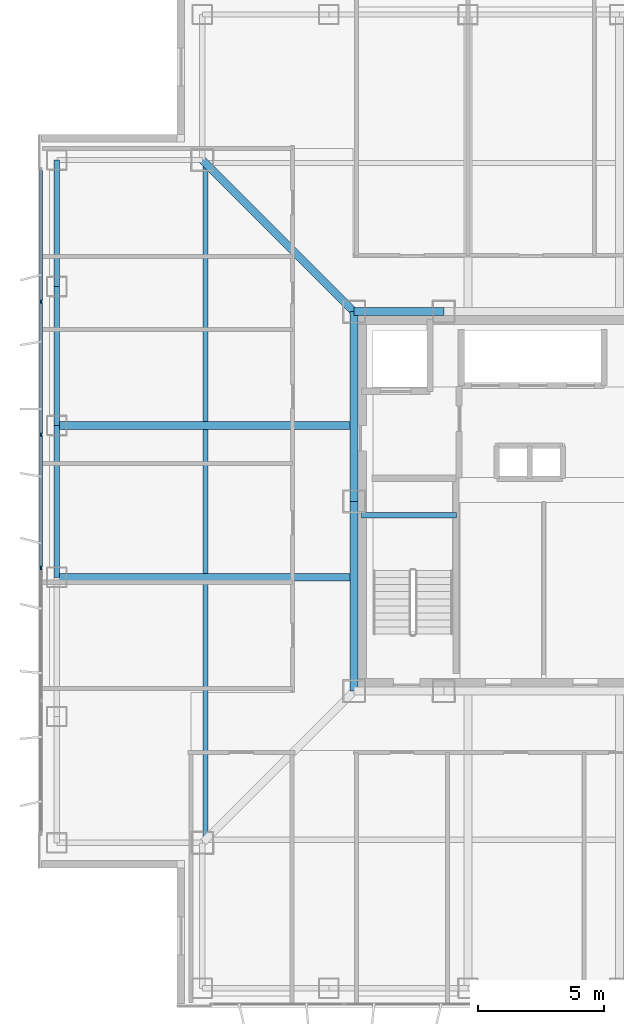
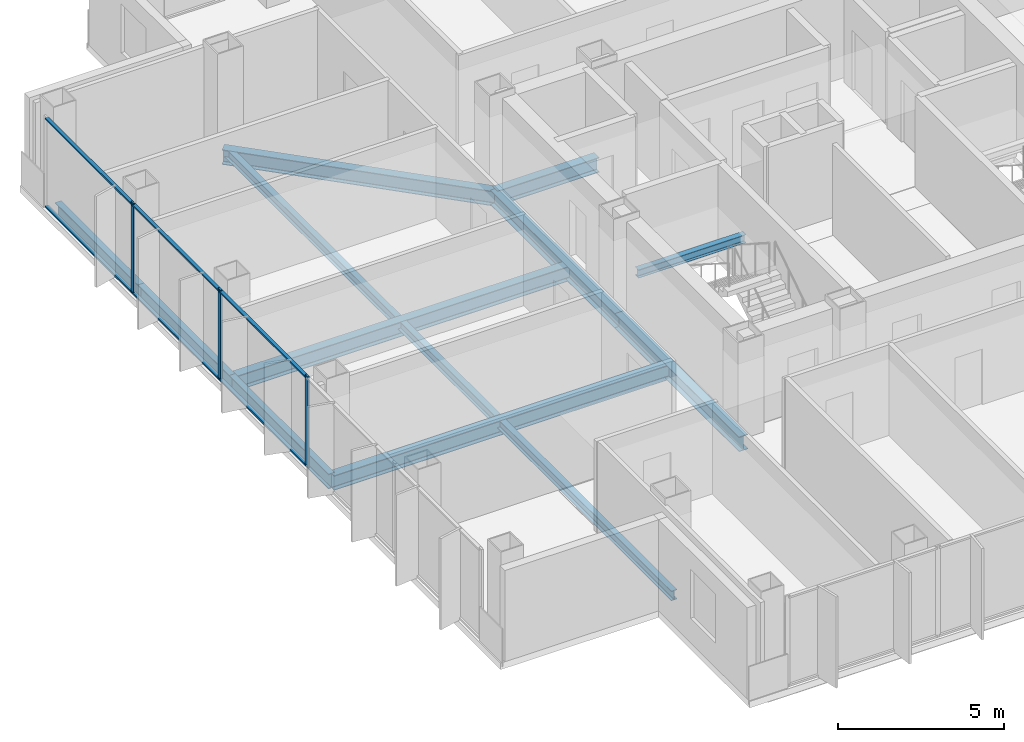
# One storey, part 4 of 18: 11 beams, 9 members, 1 element without a shape of its own.
"""IFC4 building model written with IfcOpenShell, lengths in metres."""

from ifc_helpers import new_model, si_unit, direction, frame, origin, origin_2d, place, context, subcontext, project, spatial, rectangle, i_section, extrude, material, layer, layer_set, material_profile, profile_set, type_object, element, aggregate, save


model = new_model("IFC4")

# Units and contexts
model_context = context("Model", 3, precision=1e-05, world=origin(), true_north=direction((0.0, 1.0)))
body_context = subcontext(model_context, "Body", "Model", "MODEL_VIEW")
ifc_project = project(units=[si_unit("LENGTHUNIT", "METRE"), si_unit("AREAUNIT", "SQUARE_METRE"), si_unit("VOLUMEUNIT", "CUBIC_METRE"), si_unit("PLANEANGLEUNIT", "RADIAN"), si_unit("MASSUNIT", "GRAM", prefix="KILO")], contexts=[model_context])

# Site, building, storey
site_placement = place(None, origin())
site = spatial("IfcSite", under=ifc_project, at=site_placement, CompositionType="ELEMENT")
building_placement = place(site_placement, origin())
building = spatial("IfcBuilding", under=site, at=building_placement, Name="Trevonay Congress Spire", CompositionType="ELEMENT")
storey_placement = place(building_placement, frame((0.0, 0.0, 173.39990234375)))
storey = spatial("IfcBuildingStorey", under=building, at=storey_placement, Name="L44", CompositionType="ELEMENT", Elevation=173.39990234375)

# Beams
ifc_material_1 = material(Name="Steel ASTM A572 Grade 50", Category="steel")
ifc_material_profile_1 = material_profile(ifc_material_1, i_section(OverallWidth=0.31201171875, OverallDepth=0.54296875, WebThickness=0.0126953125, FlangeThickness=0.020263671875, FilletRadius=0.014892578125, at=origin_2d()), Name="W530x150")
ifc_profile_set_1 = profile_set([ifc_material_profile_1], Name="Steel ASTM A572 Grade 50")
beam_type_1 = type_object("IfcBeamType", Name="BM-GIRD-W530X150", PredefinedType="BEAM", material=ifc_profile_set_1)
beam_1_placement = place(storey_placement, frame((-7.5, 7.5, -0.511474609375), z_axis=(1.0, 0.0, 0.0), x_axis=(0.0, 1.0, 0.0)))
element("IfcBeam", 1, at=beam_1_placement, inside=storey, type_object=beam_type_1, Name="L44 structural beam BM-L44-CR-N1", PredefinedType="BEAM", context=body_context, shape_type="SweptSolid", body=[
    extrude(i_section(OverallWidth=0.31201171875, OverallDepth=0.54296875, WebThickness=0.0126953125, FlangeThickness=0.020263671875, FilletRadius=0.014892578125, at=origin_2d()), origin(), (0.0, 0.0, 1.0), 3.550048828125),
])
for number, where, z_axis, x_axis, name in (
    (2, (-7.5, -7.5, -0.511474609375), (0.0, 1.0, 0.0), (-1.0, 0.0, 0.0), "L44 structural beam BM-L44-CR-W1"),
    (3, (-7.5, 0.0, -0.511474609375), (0.0, 1.0, 0.0), (-1.0, 0.0, 0.0), "L44 structural beam BM-L44-CR-W2"),
):
    element("IfcBeam", number, at=place(storey_placement, frame(where, z_axis=z_axis, x_axis=x_axis)), inside=storey, type_object=beam_type_1, Name=name, PredefinedType="BEAM", context=body_context, shape_type="SweptSolid", body=[
        extrude(i_section(OverallWidth=0.31201171875, OverallDepth=0.54296875, WebThickness=0.0126953125, FlangeThickness=0.020263671875, FilletRadius=0.014892578125, at=origin_2d()), origin(), (0.0, 0.0, 1.0), 7.5),
    ])
beam_2_placement = place(storey_placement, frame((-7.5, 7.5, -0.511474609375), z_axis=(-0.707106781187, 0.707106781187, 0.0), x_axis=(-0.707106781187, -0.707106781187, 0.0)))
element("IfcBeam", 4, at=beam_2_placement, inside=storey, type_object=beam_type_1, Name="L44 structural beam BM-L44-CDNW", PredefinedType="BEAM", context=body_context, shape_type="SweptSolid", body=[
    extrude(i_section(OverallWidth=0.31201171875, OverallDepth=0.54296875, WebThickness=0.0126953125, FlangeThickness=0.020263671875, FilletRadius=0.014892578125, at=origin_2d()), origin(), (0.0, 0.0, 1.0), 8.4853515625),
])
for number, where, z_axis, x_axis, name in (
    (5, (-7.5, -3.0, -0.511474609375), (-1.0, 0.0, 0.0), (0.0, -1.0, 0.0), "L44 structural beam BM-L44-GW-M"),
    (6, (-7.5, 3.0, -0.511474609375), (-1.0, 0.0, 0.0), (0.0, -1.0, 0.0), "L44 structural beam BM-L44-GW-P"),
):
    element("IfcBeam", number, at=place(storey_placement, frame(where, z_axis=z_axis, x_axis=x_axis)), inside=storey, type_object=beam_type_1, Name=name, PredefinedType="BEAM", context=body_context, shape_type="SweptSolid", body=[
        extrude(i_section(OverallWidth=0.31201171875, OverallDepth=0.54296875, WebThickness=0.0126953125, FlangeThickness=0.020263671875, FilletRadius=0.014892578125, at=origin_2d()), origin(), (0.0, 0.0, 1.0), 11.75),
    ])
ifc_material_profile_2 = material_profile(ifc_material_1, i_section(OverallWidth=0.2119140625, OverallDepth=0.5439453125, WebThickness=0.01318359375, FlangeThickness=0.021240234375, FilletRadius=0.014892578125, at=origin_2d()), Name="W530x123")
ifc_profile_set_2 = profile_set([ifc_material_profile_2], Name="Steel ASTM A572 Grade 50")
beam_type_2 = type_object("IfcBeamType", Name="BM-RING-W530X123", PredefinedType="BEAM", material=ifc_profile_set_2)
beam_3_placement = place(storey_placement, frame((-19.25, -3.0, -0.511962890625), z_axis=(0.0, 1.0, 0.0), x_axis=(-1.0, 0.0, 0.0)))
element("IfcBeam", 7, at=beam_3_placement, inside=storey, type_object=beam_type_2, Name="L44 structural beam BM-L44-PW3", PredefinedType="BEAM", context=body_context, shape_type="SweptSolid", body=[
    extrude(i_section(OverallWidth=0.2119140625, OverallDepth=0.5439453125, WebThickness=0.01318359375, FlangeThickness=0.021240234375, FilletRadius=0.014892578125, at=origin_2d()), origin(), (0.0, 0.0, 1.0), 6.0),
])
beam_4_placement = place(storey_placement, frame((-19.25, 3.0, -0.511962890625), z_axis=(0.0, 1.0, 0.0), x_axis=(-1.0, 0.0, 0.0)))
element("IfcBeam", 8, at=beam_4_placement, inside=storey, type_object=beam_type_2, Name="L44 structural beam BM-L44-PW4", PredefinedType="BEAM", context=body_context, shape_type="SweptSolid", body=[
    extrude(i_section(OverallWidth=0.2119140625, OverallDepth=0.5439453125, WebThickness=0.01318359375, FlangeThickness=0.021240234375, FilletRadius=0.014892578125, at=origin_2d()), origin(), (0.0, 0.0, 1.0), 5.5),
])
beam_5_placement = place(storey_placement, frame((-19.25, 8.5, -0.511962890625), z_axis=(0.0, 1.0, 0.0), x_axis=(-1.0, 0.0, 0.0)))
element("IfcBeam", 9, at=beam_5_placement, inside=storey, type_object=beam_type_2, Name="L44 structural beam BM-L44-PW5", PredefinedType="BEAM", context=body_context, shape_type="SweptSolid", body=[
    extrude(i_section(OverallWidth=0.2119140625, OverallDepth=0.5439453125, WebThickness=0.01318359375, FlangeThickness=0.021240234375, FilletRadius=0.014892578125, at=origin_2d()), origin(), (0.0, 0.0, 1.0), 5.0),
])

# Curtain wall, members
ifc_material_2 = material(Name="Pale Anodised Aluminium EN AW-6063-T6", Category="aluminium")
ifc_layer = layer(ifc_material_2, 0.169921875, Name="Pale Anodised Aluminium EN AW-6063-T6")
ifc_layer_set = layer_set([ifc_layer], Name="Pale Anodised Aluminium EN AW-6063-T6")
curtain_wall_type = type_object("IfcCurtainWallType", Name="CW-SYS04-CORP-PALE-METAL", PredefinedType="NOTDEFINED", material=ifc_layer_set)
curtain_wall_placement = place(storey_placement, origin())
curtain_wall = element("IfcCurtainWall", 10, at=curtain_wall_placement, inside=storey, type_object=curtain_wall_type, Name="L44 W unitised curtain wall", PredefinedType="NOTDEFINED")
ifc_material_profile_3 = material_profile(ifc_material_2, rectangle(XDim=0.06005859375, YDim=0.159912109375, at=origin_2d()), Name="CW-MULLION-160-ALUMINIUM")
ifc_profile_set_3 = profile_set([ifc_material_profile_3], Name="Pale Anodised Aluminium EN AW-6063-T6")
member_type_1 = type_object("IfcMemberType", Name="CW-MULLION-160-ALUMINIUM", PredefinedType="MULLION", material=ifc_profile_set_3)
member_1_placement = place(storey_placement, frame((-19.8798828125, -2.6298828125, 0.0), z_axis=(0.0, 0.0, 1.0), x_axis=(-1.0, 0.0, 0.0)))
member_1 = element("IfcMember", 11, at=member_1_placement, type_object=member_type_1, Name="CW04 mullion 3", PredefinedType="MULLION", context=body_context, shape_type="SweptSolid", body=[
    extrude(rectangle(XDim=0.06005859375, YDim=0.159912109375, at=origin_2d()), origin(), (0.0, 0.0, 1.0), 3.360107421875),
])
member_2_placement = place(storey_placement, frame((-19.8798828125, 2.6298828125, 0.0), z_axis=(0.0, 0.0, 1.0), x_axis=(-1.0, 0.0, 0.0)))
member_2 = element("IfcMember", 12, at=member_2_placement, type_object=member_type_1, Name="CW04 mullion 4", PredefinedType="MULLION", context=body_context, shape_type="SweptSolid", body=[
    extrude(rectangle(XDim=0.06005859375, YDim=0.159912109375, at=origin_2d()), origin(), (0.0, 0.0, 1.0), 3.360107421875),
])
member_3_placement = place(storey_placement, frame((-19.8798828125, 7.889892578125, 0.0), z_axis=(0.0, 0.0, 1.0), x_axis=(-1.0, 0.0, 0.0)))
member_3 = element("IfcMember", 13, at=member_3_placement, type_object=member_type_1, Name="CW04 mullion 5", PredefinedType="MULLION", context=body_context, shape_type="SweptSolid", body=[
    extrude(rectangle(XDim=0.06005859375, YDim=0.159912109375, at=origin_2d()), origin(), (0.0, 0.0, 1.0), 3.360107421875),
])
ifc_material_profile_4 = material_profile(ifc_material_2, rectangle(XDim=0.1201171875, YDim=0.06005859375, at=origin_2d()), Name="CW-TRANSOM-120-ALUMINIUM")
ifc_profile_set_4 = profile_set([ifc_material_profile_4], Name="Pale Anodised Aluminium EN AW-6063-T6")
member_type_2 = type_object("IfcMemberType", Name="CW-TRANSOM-120-ALUMINIUM", PredefinedType="USERDEFINED", material=ifc_profile_set_4)
member_4_placement = place(storey_placement, frame((-19.8798828125, -2.60009765625, 0.06005859375), z_axis=(0.0, 1.0, 0.0), x_axis=(-1.0, 0.0, 0.0)))
member_4 = element("IfcMember", 14, at=member_4_placement, type_object=member_type_2, Name="CW04 transom 3.1", ObjectType="TRANSOM", PredefinedType="USERDEFINED", context=body_context, shape_type="SweptSolid", body=[
    extrude(rectangle(XDim=0.1201171875, YDim=0.06005859375, at=origin_2d()), origin(), (0.0, 0.0, 1.0), 5.2001953125),
])
member_5_placement = place(storey_placement, frame((-19.8798828125, -2.60009765625, 3.300048828125), z_axis=(0.0, 1.0, 0.0), x_axis=(-1.0, 0.0, 0.0)))
member_5 = element("IfcMember", 15, at=member_5_placement, type_object=member_type_2, Name="CW04 transom 3.2", ObjectType="TRANSOM", PredefinedType="USERDEFINED", context=body_context, shape_type="SweptSolid", body=[
    extrude(rectangle(XDim=0.1201171875, YDim=0.06005859375, at=origin_2d()), origin(), (0.0, 0.0, 1.0), 5.2001953125),
])
member_6_placement = place(storey_placement, frame((-19.8798828125, 2.659912109375, 0.06005859375), z_axis=(0.0, 1.0, 0.0), x_axis=(-1.0, 0.0, 0.0)))
member_6 = element("IfcMember", 16, at=member_6_placement, type_object=member_type_2, Name="CW04 transom 4.1", ObjectType="TRANSOM", PredefinedType="USERDEFINED", context=body_context, shape_type="SweptSolid", body=[
    extrude(rectangle(XDim=0.1201171875, YDim=0.06005859375, at=origin_2d()), origin(), (0.0, 0.0, 1.0), 5.2001953125),
])
member_7_placement = place(storey_placement, frame((-19.8798828125, 2.659912109375, 3.300048828125), z_axis=(0.0, 1.0, 0.0), x_axis=(-1.0, 0.0, 0.0)))
member_7 = element("IfcMember", 17, at=member_7_placement, type_object=member_type_2, Name="CW04 transom 4.2", ObjectType="TRANSOM", PredefinedType="USERDEFINED", context=body_context, shape_type="SweptSolid", body=[
    extrude(rectangle(XDim=0.1201171875, YDim=0.06005859375, at=origin_2d()), origin(), (0.0, 0.0, 1.0), 5.2001953125),
])
member_8_placement = place(storey_placement, frame((-19.8798828125, 7.919921875, 0.06005859375), z_axis=(0.0, 1.0, 0.0), x_axis=(-1.0, 0.0, 0.0)))
member_8 = element("IfcMember", 18, at=member_8_placement, type_object=member_type_2, Name="CW04 transom 5.1", ObjectType="TRANSOM", PredefinedType="USERDEFINED", context=body_context, shape_type="SweptSolid", body=[
    extrude(rectangle(XDim=0.1201171875, YDim=0.06005859375, at=origin_2d()), origin(), (0.0, 0.0, 1.0), 5.170166015625),
])
member_9_placement = place(storey_placement, frame((-19.8798828125, 7.919921875, 3.300048828125), z_axis=(0.0, 1.0, 0.0), x_axis=(-1.0, 0.0, 0.0)))
member_9 = element("IfcMember", 19, at=member_9_placement, type_object=member_type_2, Name="CW04 transom 5.2", ObjectType="TRANSOM", PredefinedType="USERDEFINED", context=body_context, shape_type="SweptSolid", body=[
    extrude(rectangle(XDim=0.1201171875, YDim=0.06005859375, at=origin_2d()), origin(), (0.0, 0.0, 1.0), 5.170166015625),
])
aggregate(curtain_wall, [member_1, member_2, member_3, member_4, member_5, member_6, member_7, member_8, member_9])

# Beams
ifc_material_profile_5 = material_profile(ifc_material_1, i_section(OverallWidth=0.205078125, OverallDepth=0.35400390625, WebThickness=0.009521484375, FlangeThickness=0.016845703125, FilletRadius=0.011962890625, at=origin_2d()), Name="W360x79")
ifc_profile_set_5 = profile_set([ifc_material_profile_5], Name="Steel ASTM A572 Grade 50")
beam_type_3 = type_object("IfcBeamType", Name="JS-COMP-W360X79", PredefinedType="JOIST", material=ifc_profile_set_5)
beam_6_placement = place(storey_placement, frame((-13.375, -13.5, -0.4169921875), z_axis=(0.0, 1.0, 0.0), x_axis=(-1.0, 0.0, 0.0)))
element("IfcBeam", 20, at=beam_6_placement, inside=storey, type_object=beam_type_3, Name="L44 structural beam JS-L44-RING-W", PredefinedType="JOIST", context=body_context, shape_type="SweptSolid", body=[
    extrude(i_section(OverallWidth=0.205078125, OverallDepth=0.35400390625, WebThickness=0.009521484375, FlangeThickness=0.016845703125, FilletRadius=0.011962890625, at=origin_2d()), origin(), (0.0, 0.0, 1.0), 27.0),
])
ifc_material_profile_6 = material_profile(ifc_material_1, i_section(OverallWidth=0.2041015625, OverallDepth=0.305908203125, WebThickness=0.008544921875, FlangeThickness=0.0146484375, FilletRadius=0.010986328125, at=origin_2d()), Name="W310x67")
ifc_profile_set_6 = profile_set([ifc_material_profile_6], Name="Steel ASTM A572 Grade 50")
beam_type_4 = type_object("IfcBeamType", Name="LN-CORE-W310X67", PredefinedType="LINTEL", material=ifc_profile_set_6)
beam_7_placement = place(storey_placement, frame((-7.199951171875, -0.550048828125, 1.447021484375), z_axis=(1.0, 0.0, 0.0), x_axis=(0.0, 1.0, 0.0)))
element("IfcBeam", 21, at=beam_7_placement, inside=storey, type_object=beam_type_4, Name="L44 structural beam BM-L44-HL-ST1", PredefinedType="LINTEL", context=body_context, shape_type="SweptSolid", body=[
    extrude(i_section(OverallWidth=0.2041015625, OverallDepth=0.305908203125, WebThickness=0.008544921875, FlangeThickness=0.0146484375, FilletRadius=0.010986328125, at=origin_2d()), origin(), (0.0, 0.0, 1.0), 3.75),
])

save(model, "model.ifc")
